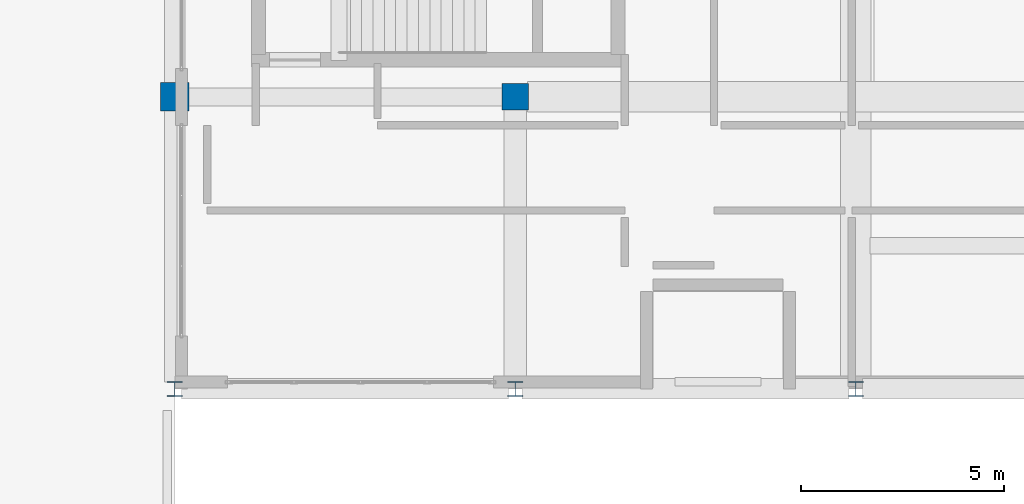
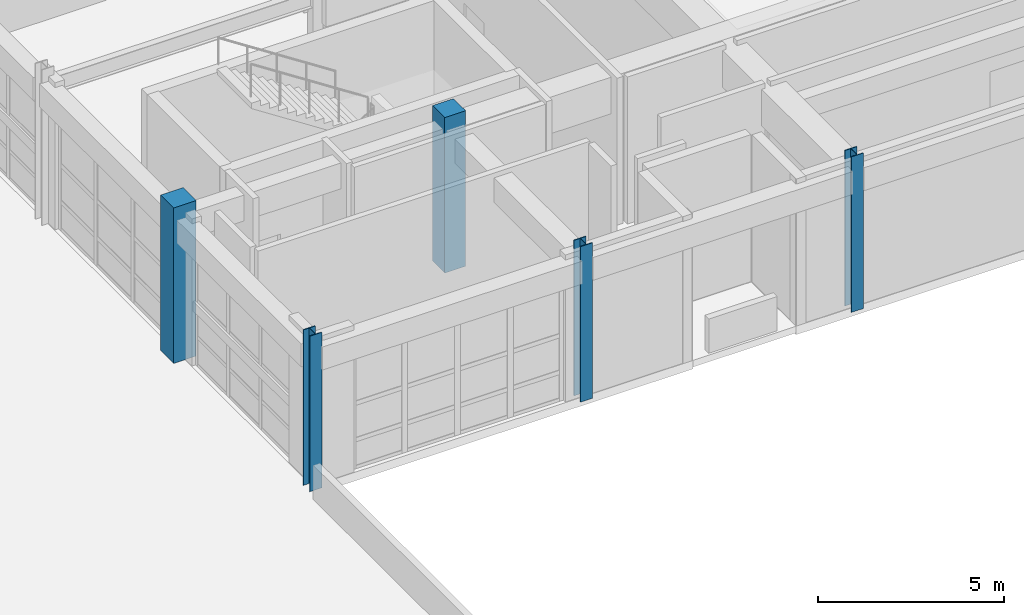
# One storey, part 9 of 78: 5 columns.
"""IFC4 building model written with IfcOpenShell, lengths in metres."""

from ifc_helpers import new_model, si_unit, direction, frame, origin, origin_2d, place, context, subcontext, project, spatial, rectangle, i_section, extrude, material, material_profile, profile_set, type_object, element, save


model = new_model("IFC4")

# Units and contexts
model_context = context("Model", 3, precision=1e-05, world=origin(), true_north=direction((0.0, 1.0)))
body_context = subcontext(model_context, "Body", "Model", "MODEL_VIEW")
ifc_project = project(units=[si_unit("LENGTHUNIT", "METRE"), si_unit("AREAUNIT", "SQUARE_METRE"), si_unit("VOLUMEUNIT", "CUBIC_METRE"), si_unit("PLANEANGLEUNIT", "RADIAN"), si_unit("MASSUNIT", "GRAM", prefix="KILO")], contexts=[model_context])

# Site, building, storey
site_placement = place(None, origin())
site = spatial("IfcSite", under=ifc_project, at=site_placement, CompositionType="ELEMENT")
building_placement = place(site_placement, origin())
building = spatial("IfcBuilding", under=site, at=building_placement, Name="Quendrovan Civic Courthouse", CompositionType="ELEMENT")
storey_placement = place(building_placement, frame((0.0, 0.0, 10.199951171875)))
storey = spatial("IfcBuildingStorey", under=building, at=storey_placement, Name="L03", CompositionType="ELEMENT", Elevation=10.199951171875)

# Columns
ifc_material_1 = material(Name="Concrete C45/55", Category="concrete")
ifc_material_profile_1 = material_profile(ifc_material_1, rectangle(XDim=0.64990234375, YDim=0.64990234375, at=origin_2d()), Name="RC-COL-650x650")
ifc_profile_set_1 = profile_set([ifc_material_profile_1], Name="Concrete C45/55")
column_type_1 = type_object("IfcColumnType", Name="COL-RC650", PredefinedType="COLUMN", material=ifc_profile_set_1)
column_1_placement = place(storey_placement, frame((117.60009765625, 94.800048828125, 0.0), z_axis=(0.0, 0.0, 1.0), x_axis=(1.0, 0.0, 0.0)))
element("IfcColumn", 1, at=column_1_placement, inside=storey, type_object=column_type_1, Name="L03 Column 15-N", PredefinedType="COLUMN", context=body_context, shape_type="SweptSolid", body=[
    extrude(rectangle(XDim=0.64990234375, YDim=0.64990234375, at=origin_2d()), origin(), (0.0, 0.0, 1.0), 5.10009765625),
])
ifc_material_profile_2 = material_profile(ifc_material_1, rectangle(XDim=0.699951171875, YDim=0.699951171875, at=origin_2d()), Name="RC-COL-700x700")
ifc_profile_set_2 = profile_set([ifc_material_profile_2], Name="Concrete C45/55")
column_type_2 = type_object("IfcColumnType", Name="COL-RC700", PredefinedType="COLUMN", material=ifc_profile_set_2)
column_2_placement = place(storey_placement, frame((109.199951171875, 94.800048828125, 0.0), z_axis=(0.0, 0.0, 1.0), x_axis=(1.0, 0.0, 0.0)))
element("IfcColumn", 2, at=column_2_placement, inside=storey, type_object=column_type_2, Name="L03 Column 14-N", PredefinedType="COLUMN", context=body_context, shape_type="SweptSolid", body=[
    extrude(rectangle(XDim=0.699951171875, YDim=0.699951171875, at=origin_2d()), origin(), (0.0, 0.0, 1.0), 5.10009765625),
])
ifc_material_2 = material(Name="Steel ASTM A992 Grade 50", Category="steel")
ifc_material_profile_3 = material_profile(ifc_material_2, i_section(OverallWidth=0.3740234375, OverallDepth=0.3720703125, WebThickness=0.016357421875, FlangeThickness=0.026123046875, at=origin_2d()), Name="W14X132")
ifc_profile_set_3 = profile_set([ifc_material_profile_3], Name="Steel ASTM A992 Grade 50")
column_type_3 = type_object("IfcColumnType", Name="COL-STL-W14X132", PredefinedType="COLUMN", material=ifc_profile_set_3)
for number, where, z_axis, x_axis, name in (
    (3, (109.199951171875, 87.60009765625, 0.0), (0.0, 0.0, 1.0), (1.0, 0.0, 0.0), "L03 Column 14-M"),
    (4, (117.60009765625, 87.60009765625, 0.0), (0.0, 0.0, 1.0), (1.0, 0.0, 0.0), "L03 Column 15-M"),
    (5, (126.0, 87.60009765625, 0.0), (0.0, 0.0, 1.0), (1.0, 0.0, 0.0), "L03 Column 16-M"),
):
    element("IfcColumn", number, at=place(storey_placement, frame(where, z_axis=z_axis, x_axis=x_axis)), inside=storey, type_object=column_type_3, Name=name, PredefinedType="COLUMN", context=body_context, shape_type="SweptSolid", body=[
        extrude(i_section(OverallWidth=0.3740234375, OverallDepth=0.3720703125, WebThickness=0.016357421875, FlangeThickness=0.026123046875, at=origin_2d()), origin(), (0.0, 0.0, 1.0), 5.10009765625),
    ])

save(model, "model.ifc")
